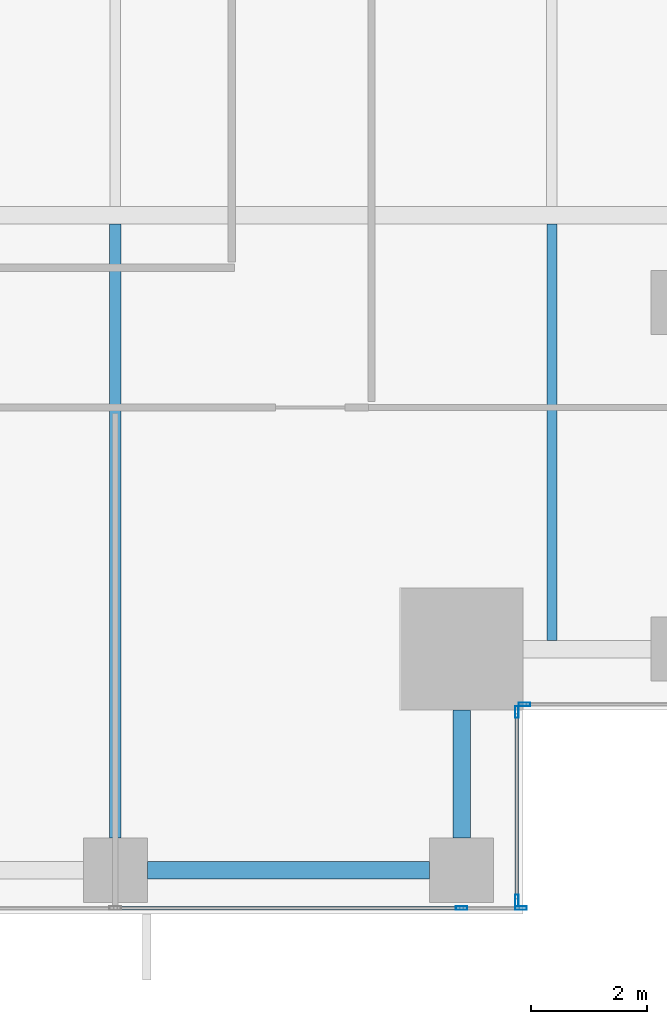
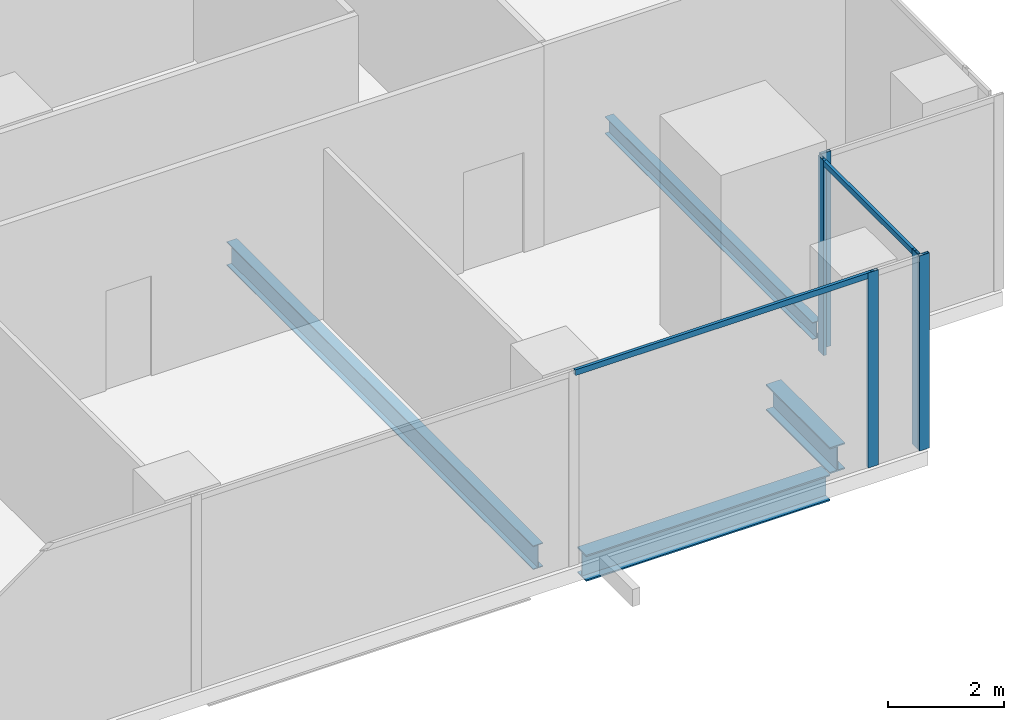
# One storey, part 10 of 34: 7 members, 4 beams, 3 elements without a shape of their own.
"""IFC4 building model written with IfcOpenShell, lengths in metres."""

from ifc_helpers import new_model, si_unit, direction, frame, origin, origin_2d, place, context, subcontext, project, spatial, hollow_rectangle, i_section, extrude, source, transform, mapped, material, material_profile, profile_set, type_object, element, aggregate, save


model = new_model("IFC4")

# Units and contexts
model_context = context("Model", 3, precision=1e-05, world=origin(), true_north=direction((0.0, 1.0)))
body_context = subcontext(model_context, "Body", "Model", "MODEL_VIEW")
ifc_project = project(units=[si_unit("LENGTHUNIT", "METRE"), si_unit("AREAUNIT", "SQUARE_METRE"), si_unit("VOLUMEUNIT", "CUBIC_METRE"), si_unit("PLANEANGLEUNIT", "RADIAN"), si_unit("MASSUNIT", "GRAM", prefix="KILO")], contexts=[model_context])

# Site, building, storey
site_placement = place(None, origin())
site = spatial("IfcSite", under=ifc_project, at=site_placement, CompositionType="ELEMENT")
building_placement = place(site_placement, origin())
building = spatial("IfcBuilding", under=site, at=building_placement, Name="Khomas Fold Tower", CompositionType="ELEMENT")
storey_placement = place(building_placement, frame((0.0, 0.0, 105.89990234375)))
storey = spatial("IfcBuildingStorey", under=building, at=storey_placement, Name="L22", CompositionType="ELEMENT", Elevation=105.89990234375)

# Beams
ifc_material_1 = material(Name="Steel S355", Category="steel")
ifc_material_profile_1 = material_profile(ifc_material_1, i_section(OverallWidth=0.169921875, OverallDepth=0.360107421875, WebThickness=0.008056640625, FlangeThickness=0.0126953125, at=origin_2d()), Name="IPE 360")
ifc_profile_set_1 = profile_set([ifc_material_profile_1], Name="Steel S355")
beam_type_1 = type_object("IfcBeamType", Name="IPE 360 beam JB2", PredefinedType="BEAM", material=ifc_profile_set_1)
shared_shape_1 = source(origin(), body_context, "Body", "SweptSolid", [
    extrude(i_section(OverallWidth=0.169921875, OverallDepth=0.360107421875, WebThickness=0.008056640625, FlangeThickness=0.0126953125, at=origin_2d()), origin(), (0.0, 0.0, 1.0), 7.150146484375),
])
beam_1_placement = place(storey_placement, frame((49.5, 6.199951171875, -0.47998046875), z_axis=(0.0, 1.0, 0.0), x_axis=(-1.0, 0.0, 0.0)))
element("IfcBeam", 1, at=beam_1_placement, inside=storey, type_object=beam_type_1, Name="JB2", PredefinedType="BEAM", context=body_context, shape_type="MappedRepresentation", body=[
    mapped(shared_shape_1, transform((0.0, 0.0, 0.0))),
])
ifc_material_2 = material(Name="Steel S355", Category="steel")
ifc_material_profile_2 = material_profile(ifc_material_2, i_section(OverallWidth=0.300048828125, OverallDepth=0.550048828125, WebThickness=0.014892578125, FlangeThickness=0.029052734375, at=origin_2d()), Name="HE 550 B")
ifc_profile_set_2 = profile_set([ifc_material_profile_2], Name="Steel S355")
beam_type_2 = type_object("IfcBeamType", Name="HE 550 B spandrel SB2", PredefinedType="SPANDREL", material=ifc_profile_set_2)
shared_shape_2 = source(origin(), body_context, "Body", "SweptSolid", [
    extrude(i_section(OverallWidth=0.300048828125, OverallDepth=0.550048828125, WebThickness=0.014892578125, FlangeThickness=0.029052734375, at=origin_2d()), origin(), (0.0, 0.0, 1.0), 4.849853515625),
])
beam_2_placement = place(storey_placement, frame((42.550048828125, 2.25, -0.574951171875), z_axis=(1.0, 0.0, 0.0), x_axis=(0.0, 1.0, 0.0)))
element("IfcBeam", 2, at=beam_2_placement, inside=storey, type_object=beam_type_2, Name="SB2", PredefinedType="SPANDREL", context=body_context, shape_type="MappedRepresentation", body=[
    mapped(shared_shape_2, transform((0.0, 0.0, 0.0))),
])
shared_shape_3 = source(origin(), body_context, "Body", "SweptSolid", [
    extrude(i_section(OverallWidth=0.300048828125, OverallDepth=0.550048828125, WebThickness=0.014892578125, FlangeThickness=0.029052734375, at=origin_2d()), origin(), (0.0, 0.0, 1.0), 2.199951171875),
])
beam_3_placement = place(storey_placement, frame((47.949951171875, 2.800048828125, -0.574951171875), z_axis=(0.0, 1.0, 0.0), x_axis=(-1.0, 0.0, 0.0)))
element("IfcBeam", 3, at=beam_3_placement, inside=storey, type_object=beam_type_2, Name="SB2", PredefinedType="SPANDREL", context=body_context, shape_type="MappedRepresentation", body=[
    mapped(shared_shape_3, transform((0.0, 0.0, 0.0))),
])
ifc_material_3 = material(Name="Steel S355", Category="steel")
ifc_material_profile_3 = material_profile(ifc_material_3, i_section(OverallWidth=0.199951171875, OverallDepth=0.5, WebThickness=0.01025390625, FlangeThickness=0.01611328125, at=origin_2d()), Name="IPE 500")
ifc_profile_set_3 = profile_set([ifc_material_profile_3], Name="Steel S355")
beam_type_3 = type_object("IfcBeamType", Name="IPE 500 beam JB5", PredefinedType="BEAM", material=ifc_profile_set_3)
shared_shape_4 = source(origin(), body_context, "Body", "SweptSolid", [
    extrude(i_section(OverallWidth=0.199951171875, OverallDepth=0.5, WebThickness=0.01025390625, FlangeThickness=0.01611328125, at=origin_2d()), origin(), (0.0, 0.0, 1.0), 10.550048828125),
])
beam_4_placement = place(storey_placement, frame((42.0, 2.800048828125, -0.5498046875), z_axis=(0.0, 1.0, 0.0), x_axis=(-1.0, 0.0, 0.0)))
element("IfcBeam", 4, at=beam_4_placement, inside=storey, type_object=beam_type_3, Name="JB5", PredefinedType="BEAM", context=body_context, shape_type="MappedRepresentation", body=[
    mapped(shared_shape_4, transform((0.0, 0.0, 0.0))),
])

# Curtain wall, members
ifc_material_4 = material(Name="Aluminium framed double glazing", Category="aluminium")
curtain_wall_type = type_object("IfcCurtainWallType", Name="SK-Unitised clear-glass wall, growing floors CW1", PredefinedType="NOTDEFINED", material=ifc_material_4)
curtain_wall_1_placement = place(storey_placement, origin())
curtain_wall_1 = element("IfcCurtainWall", 5, at=curtain_wall_1_placement, inside=storey, type_object=curtain_wall_type, Name="CW1 run L22 00-0", PredefinedType="NOTDEFINED")
ifc_material_5 = material(Name="Aluminium", Category="aluminium")
ifc_material_profile_4 = material_profile(ifc_material_5, hollow_rectangle(XDim=0.06005859375, YDim=0.199951171875, WallThickness=0.00390625, at=origin_2d()), Name="SK-Unitised clear-glass wall, growing floors mullion CW1-M")
ifc_profile_set_4 = profile_set([ifc_material_profile_4], Name="Aluminium")
member_type_1 = type_object("IfcMemberType", Name="SK-Unitised clear-glass wall, growing floors mullion CW1-M", PredefinedType="MULLION", material=ifc_profile_set_4)
shared_shape_5 = source(origin(), body_context, "Body", "SweptSolid", [
    extrude(hollow_rectangle(XDim=0.06005859375, YDim=0.199951171875, WallThickness=0.00390625, at=origin_2d()), origin(), (0.0, 0.0, 1.0), 4.10009765625),
])
member_1_placement = place(storey_placement, frame((47.949951171875, 1.60009765625, 0.0), z_axis=(0.0, 0.0, 1.0), x_axis=(0.0, 1.0, 0.0)))
member_1 = element("IfcMember", 6, at=member_1_placement, type_object=member_type_1, Name="CW1 mullion 8", PredefinedType="MULLION", context=body_context, shape_type="MappedRepresentation", body=[
    mapped(shared_shape_5, transform((0.0, 0.0, 0.0))),
])
member_2_placement = place(storey_placement, frame((48.969970703125, 1.60009765625, 0.0), z_axis=(0.0, 0.0, 1.0), x_axis=(0.0, 1.0, 0.0)))
member_2 = element("IfcMember", 7, at=member_2_placement, type_object=member_type_1, Name="CW1 mullion 9", PredefinedType="MULLION", context=body_context, shape_type="MappedRepresentation", body=[
    mapped(shared_shape_5, transform((0.0, 0.0, 0.0))),
])

curtain_wall_2_placement = place(storey_placement, origin())
curtain_wall_2 = element("IfcCurtainWall", 8, at=curtain_wall_2_placement, inside=storey, type_object=curtain_wall_type, Name="CW1 corner return L22 01", PredefinedType="NOTDEFINED")
member_3_placement = place(storey_placement, frame((48.89990234375, 1.72998046875, 0.0), z_axis=(0.0, 0.0, 1.0), x_axis=(-1.0, 0.0, 0.0)))
member_3 = element("IfcMember", 9, at=member_3_placement, type_object=member_type_1, Name="CW1 mullion 1", PredefinedType="MULLION", context=body_context, shape_type="MappedRepresentation", body=[
    mapped(shared_shape_5, transform((0.0, 0.0, 0.0))),
])
member_4_placement = place(storey_placement, frame((48.89990234375, 4.969970703125, 0.0), z_axis=(0.0, 0.0, 1.0), x_axis=(-1.0, 0.0, 0.0)))
member_4 = element("IfcMember", 10, at=member_4_placement, type_object=member_type_1, Name="CW1 mullion 2", PredefinedType="MULLION", context=body_context, shape_type="MappedRepresentation", body=[
    mapped(shared_shape_5, transform((0.0, 0.0, 0.0))),
])

# Curtain wall, member
curtain_wall_3_placement = place(storey_placement, origin())
curtain_wall_3 = element("IfcCurtainWall", 11, at=curtain_wall_3_placement, inside=storey, type_object=curtain_wall_type, Name="CW1 corner return L22 02", PredefinedType="NOTDEFINED")
member_5_placement = place(storey_placement, frame((49.030029296875, 5.10009765625, 0.0), z_axis=(0.0, 0.0, 1.0), x_axis=(0.0, 1.0, 0.0)))
member_5 = element("IfcMember", 12, at=member_5_placement, type_object=member_type_1, Name="CW1 mullion 1", PredefinedType="MULLION", context=body_context, shape_type="MappedRepresentation", body=[
    mapped(shared_shape_5, transform((0.0, 0.0, 0.0))),
])
aggregate(curtain_wall_3, [member_5])

# Member
ifc_material_6 = material(Name="Aluminium", Category="aluminium")
ifc_material_profile_5 = material_profile(ifc_material_6, hollow_rectangle(XDim=0.06005859375, YDim=0.1201171875, WallThickness=0.00390625, at=origin_2d()), Name="SK-Unitised clear-glass wall, growing floors transom CW1-T")
ifc_profile_set_5 = profile_set([ifc_material_profile_5], Name="Aluminium")
member_type_2 = type_object("IfcMemberType", Name="SK-Unitised clear-glass wall, growing floors transom CW1-T", PredefinedType="USERDEFINED", material=ifc_profile_set_5)
shared_shape_6 = source(origin(), body_context, "Body", "SweptSolid", [
    extrude(hollow_rectangle(XDim=0.06005859375, YDim=0.1201171875, WallThickness=0.00390625, at=origin_2d()), origin(), (0.0, 0.0, 1.0), 5.889892578125),
])
member_6_placement = place(storey_placement, frame((42.030029296875, 1.60009765625, 4.0400390625), z_axis=(1.0, 0.0, 0.0), x_axis=(0.0, 1.0, 0.0)))
member_6 = element("IfcMember", 13, at=member_6_placement, type_object=member_type_2, Name="CW1 transom 7", ObjectType="TRANSOM", PredefinedType="USERDEFINED", context=body_context, shape_type="MappedRepresentation", body=[
    mapped(shared_shape_6, transform((0.0, 0.0, 0.0))),
])

aggregate(curtain_wall_1, [member_1, member_2, member_6])

shared_shape_7 = source(origin(), body_context, "Body", "SweptSolid", [
    extrude(hollow_rectangle(XDim=0.06005859375, YDim=0.1201171875, WallThickness=0.00390625, at=origin_2d()), origin(), (0.0, 0.0, 1.0), 3.179931640625),
])
member_7_placement = place(storey_placement, frame((48.89990234375, 1.760009765625, 4.0400390625), z_axis=(0.0, 1.0, 0.0), x_axis=(-1.0, 0.0, 0.0)))
member_7 = element("IfcMember", 14, at=member_7_placement, type_object=member_type_2, Name="CW1 transom 1", ObjectType="TRANSOM", PredefinedType="USERDEFINED", context=body_context, shape_type="MappedRepresentation", body=[
    mapped(shared_shape_7, transform((0.0, 0.0, 0.0))),
])

aggregate(curtain_wall_2, [member_3, member_4, member_7])

save(model, "model.ifc")
